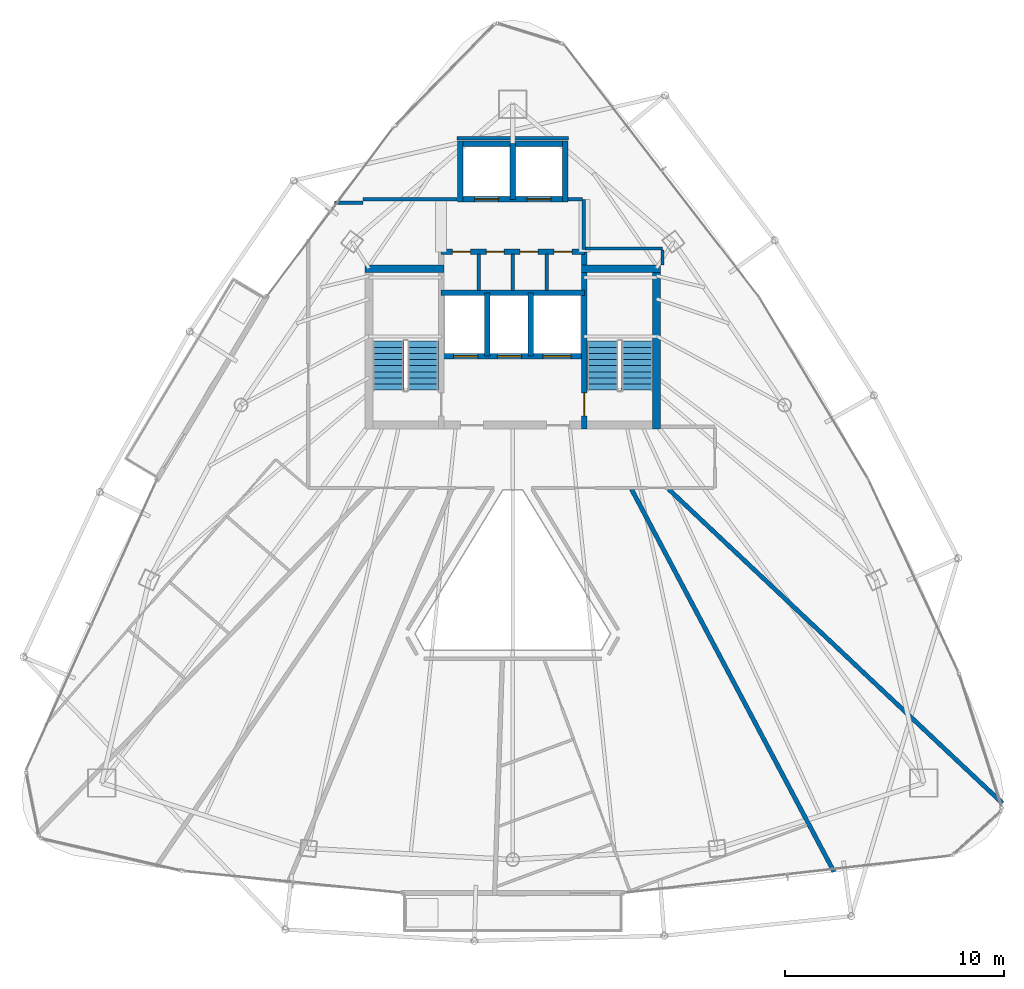
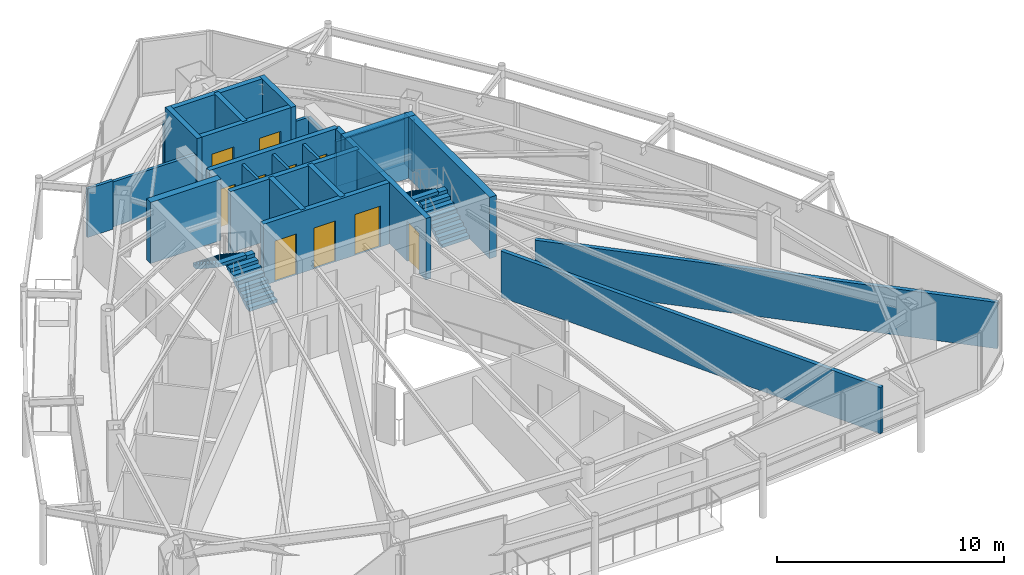
# One storey, part 27 of 29: 26 walls, 10 doors, 4 stair flights, 10 openings, 2 elements without a shape of their own.
"""IFC4 building model written with IfcOpenShell, lengths in metres."""

from ifc_helpers import new_model, si_unit, direction, frame, frame_2d, origin, place, context, subcontext, project, spatial, polyline, rectangle, outline, extrude, material, layer, layer_set, type_object, element, fill, aggregate, save


model = new_model("IFC4")

# Units and contexts
model_context = context("Model", 3, precision=1e-05, world=origin(), true_north=direction((0.0, 1.0)))
body_context = subcontext(model_context, "Body", "Model", "MODEL_VIEW")
ifc_project = project(units=[si_unit("LENGTHUNIT", "METRE"), si_unit("AREAUNIT", "SQUARE_METRE"), si_unit("VOLUMEUNIT", "CUBIC_METRE"), si_unit("PLANEANGLEUNIT", "RADIAN"), si_unit("MASSUNIT", "GRAM", prefix="KILO")], contexts=[model_context])

# Site, building, storey
site_placement = place(None, origin())
site = spatial("IfcSite", under=ifc_project, at=site_placement, CompositionType="ELEMENT")
building_placement = place(site_placement, origin())
building = spatial("IfcBuilding", under=site, at=building_placement, Name="Orvanel Arch Residences", CompositionType="ELEMENT")
storey_placement = place(building_placement, frame((0.0, 0.0, 243.64990234375)))
storey = spatial("IfcBuildingStorey", under=building, at=storey_placement, Name="L69", CompositionType="ELEMENT", Elevation=243.64990234375)

# Wall, opening, door
ifc_material_1 = material(Name="Concrete N50 (50 MPa)", Category="concrete")
ifc_layer_1 = layer(ifc_material_1, 0.25)
ifc_layer_set_1 = layer_set([ifc_layer_1], Name="Concrete N50 (50 MPa)")
wall_type_1 = type_object("IfcWallType", Name="SW-CORE-250", PredefinedType="SHEAR", material=ifc_layer_set_1)
wall_1_placement = place(storey_placement, frame((36.27490234375, 26.550048828125, 0.0), z_axis=(0.0, 0.0, 1.0), x_axis=(0.0, 1.0, 0.0)))
wall_1 = element("IfcWall", 1, at=wall_1_placement, inside=storey, type_object=wall_type_1, Name="L69 East Inner Core Spine Shear Wall", PredefinedType="SHEAR", context=body_context, shape_type="SweptSolid", body=[
    extrude(rectangle(XDim=8.099853515625, YDim=0.25, at=frame_2d((4.0498046875, 0.0))), origin(), (0.0, 0.0, 1.0), 3.300048828125),
])
opening_1_placement = place(wall_1_placement, frame((0.60009765625, 0.0, 0.0)))
opening_1 = element("IfcOpeningElement", 2, at=opening_1_placement, cuts=wall_1, Name="Opening DF-120", PredefinedType="OPENING", context=body_context, shape_type="SweptSolid", body=[
    extrude(rectangle(XDim=1.050048828125, YDim=2.14990234375, at=frame_2d((0.52490234375, 1.074951171875))), frame((0.0, 0.135009765625, 0.0), z_axis=(0.0, -1.0, 0.0), x_axis=(1.0, 0.0, 0.0)), (0.0, 0.0, 1.0), 0.27001953125),
])
ifc_material_2 = material(Name="Galvanised steel fire-resisting door assembly", Category="steel")
door_type_1 = type_object("IfcDoorType", Name="DR-FD120-1050", OperationType="NOTDEFINED", PredefinedType="DOOR", material=ifc_material_2)
door_1_placement = place(opening_1_placement, origin())
door_1 = element("IfcDoor", 3, at=door_1_placement, inside=storey, type_object=door_type_1, Name="DR-L69-ST2 L69 Stair 2 Fire Door", OperationType="SINGLE_SWING_RIGHT", OverallHeight=2.14990234375, OverallWidth=1.050048828125, PredefinedType="DOOR", context=body_context, shape_type="SweptSolid", body=[
    extrude(rectangle(XDim=1.050048828125, YDim=2.14990234375, at=frame_2d((0.52490234375, 1.074951171875))), frame((0.0, 0.02490234375, 0.0), z_axis=(0.0, -1.0, 0.0), x_axis=(1.0, 0.0, 0.0)), (0.0, 0.0, 1.0), 0.050048828125),
])
fill(opening_1, door_1)

# Wall, openings, doors
wall_2_placement = place(storey_placement, frame((36.27490234375, 29.875, 0.0), z_axis=(0.0, 0.0, 1.0), x_axis=(-1.0, 0.0, 0.0)))
wall_2 = element("IfcWall", 4, at=wall_2_placement, inside=storey, type_object=wall_type_1, Name="L69 Emergency Lift Front Core Shear Wall", PredefinedType="SHEAR", context=body_context, shape_type="SweptSolid", body=[
    extrude(rectangle(XDim=6.5498046875, YDim=0.25, at=frame_2d((3.27490234375, 0.0))), origin(), (0.0, 0.0, 1.0), 3.300048828125),
])
opening_2_placement = place(wall_2_placement, frame((4.875, 0.0, 0.0)))
opening_2 = element("IfcOpeningElement", 5, at=opening_2_placement, cuts=wall_2, Name="Opening LD-110", PredefinedType="OPENING", context=body_context, shape_type="SweptSolid", body=[
    extrude(rectangle(XDim=1.10009765625, YDim=2.199951171875, at=frame_2d((0.550048828125, 1.10009765625))), frame((0.0, 0.135009765625, 0.0), z_axis=(0.0, -1.0, 0.0), x_axis=(1.0, 0.0, 0.0)), (0.0, 0.0, 1.0), 0.27001953125),
])
opening_3_placement = place(wall_2_placement, frame((2.875, 0.0, 0.0)))
opening_3 = element("IfcOpeningElement", 6, at=opening_3_placement, cuts=wall_2, Name="Opening LD-110", PredefinedType="OPENING", context=body_context, shape_type="SweptSolid", body=[
    extrude(rectangle(XDim=1.10009765625, YDim=2.199951171875, at=frame_2d((0.550048828125, 1.10009765625))), frame((0.0, 0.135009765625, 0.0), z_axis=(0.0, -1.0, 0.0), x_axis=(1.0, 0.0, 0.0)), (0.0, 0.0, 1.0), 0.27001953125),
])
opening_4_placement = place(wall_2_placement, frame((0.60009765625, 0.0, 0.0)))
opening_4 = element("IfcOpeningElement", 7, at=opening_4_placement, cuts=wall_2, Name="Opening LD-130", PredefinedType="OPENING", context=body_context, shape_type="SweptSolid", body=[
    extrude(rectangle(XDim=1.300048828125, YDim=2.199951171875, at=frame_2d((0.64990234375, 1.10009765625))), frame((0.0, 0.135009765625, 0.0), z_axis=(0.0, -1.0, 0.0), x_axis=(1.0, 0.0, 0.0)), (0.0, 0.0, 1.0), 0.27001953125),
])
door_type_2 = type_object("IfcDoorType", Name="DR-LFT-1100", OperationType="NOTDEFINED", PredefinedType="DOOR", material=ifc_material_2)
door_2_placement = place(opening_2_placement, origin())
door_2 = element("IfcDoor", 8, at=door_2_placement, inside=storey, type_object=door_type_2, Name="LD-F1-L69 L69 Lift F1 Sliding Landing Door", OperationType="DOUBLE_DOOR_SLIDING", OverallHeight=2.199951171875, OverallWidth=1.10009765625, PredefinedType="DOOR", context=body_context, shape_type="SweptSolid", body=[
    extrude(rectangle(XDim=1.10009765625, YDim=2.199951171875, at=frame_2d((0.550048828125, 1.10009765625))), frame((0.0, 0.02490234375, 0.0), z_axis=(0.0, -1.0, 0.0), x_axis=(1.0, 0.0, 0.0)), (0.0, 0.0, 1.0), 0.050048828125),
])
fill(opening_2, door_2)
door_3_placement = place(opening_3_placement, origin())
door_3 = element("IfcDoor", 9, at=door_3_placement, inside=storey, type_object=door_type_2, Name="LD-F2-L69 L69 Lift F2 Sliding Landing Door", OperationType="DOUBLE_DOOR_SLIDING", OverallHeight=2.199951171875, OverallWidth=1.10009765625, PredefinedType="DOOR", context=body_context, shape_type="SweptSolid", body=[
    extrude(rectangle(XDim=1.10009765625, YDim=2.199951171875, at=frame_2d((0.550048828125, 1.10009765625))), frame((0.0, 0.02490234375, 0.0), z_axis=(0.0, -1.0, 0.0), x_axis=(1.0, 0.0, 0.0)), (0.0, 0.0, 1.0), 0.050048828125),
])
fill(opening_3, door_3)
door_type_3 = type_object("IfcDoorType", Name="DR-LFT-1300", OperationType="NOTDEFINED", PredefinedType="DOOR", material=ifc_material_2)
door_4_placement = place(opening_4_placement, origin())
door_4 = element("IfcDoor", 10, at=door_4_placement, inside=storey, type_object=door_type_3, Name="LD-G1-L69 L69 Lift G1 Sliding Landing Door", OperationType="DOUBLE_DOOR_SLIDING", OverallHeight=2.199951171875, OverallWidth=1.300048828125, PredefinedType="DOOR", context=body_context, shape_type="SweptSolid", body=[
    extrude(rectangle(XDim=1.300048828125, YDim=2.199951171875, at=frame_2d((0.64990234375, 1.10009765625))), frame((0.0, 0.02490234375, 0.0), z_axis=(0.0, -1.0, 0.0), x_axis=(1.0, 0.0, 0.0)), (0.0, 0.0, 1.0), 0.050048828125),
])
fill(opening_4, door_4)

# Walls
wall_3_placement = place(storey_placement, frame((29.72509765625, 32.77490234375, 0.0), z_axis=(0.0, 0.0, 1.0), x_axis=(1.0, 0.0, 0.0)))
element("IfcWall", 11, at=wall_3_placement, inside=storey, type_object=wall_type_1, Name="L69 Emergency Lift Back Core Shear Wall", PredefinedType="SHEAR", context=body_context, shape_type="SweptSolid", body=[
    extrude(rectangle(XDim=6.5498046875, YDim=0.25, at=frame_2d((3.27490234375, 0.0))), origin(), (0.0, 0.0, 1.0), 3.300048828125),
])
for number, where, z_axis, x_axis, name in (
    (12, (31.824951171875, 29.875, 0.0), (0.0, 0.0, 1.0), (0.0, 1.0, 0.0), "L69 Emergency Lift Inter-Shaft Wall F12"),
    (13, (33.824951171875, 29.875, 0.0), (0.0, 0.0, 1.0), (0.0, 1.0, 0.0), "L69 Emergency Lift Inter-Shaft Wall F2G"),
):
    element("IfcWall", number, at=place(storey_placement, frame(where, z_axis=z_axis, x_axis=x_axis)), inside=storey, type_object=wall_type_1, Name=name, PredefinedType="SHEAR", context=body_context, shape_type="SweptSolid", body=[
        extrude(rectangle(XDim=2.89990234375, YDim=0.25, at=frame_2d((1.449951171875, 0.0))), origin(), (0.0, 0.0, 1.0), 3.300048828125),
    ])

# Wall, openings, doors
wall_4_placement = place(storey_placement, frame((29.72509765625, 34.64990234375, 0.0), z_axis=(0.0, 0.0, 1.0), x_axis=(1.0, 0.0, 0.0)))
wall_4 = element("IfcWall", 14, at=wall_4_placement, inside=storey, type_object=wall_type_1, Name="L69 Core Service Band North Shear Wall", PredefinedType="SHEAR", context=body_context, shape_type="SweptSolid", body=[
    extrude(rectangle(XDim=6.5498046875, YDim=0.25, at=frame_2d((3.27490234375, 0.0))), origin(), (0.0, 0.0, 1.0), 3.300048828125),
])
opening_5_placement = place(wall_4_placement, frame((0.514892578125, 0.0, 0.0)))
opening_5 = element("IfcOpeningElement", 15, at=opening_5_placement, cuts=wall_4, Name="Opening DS-082", PredefinedType="OPENING", context=body_context, shape_type="SweptSolid", body=[
    extrude(rectangle(XDim=0.820068359375, YDim=2.10009765625, at=frame_2d((0.41015625, 1.050048828125))), frame((0.0, 0.135009765625, 0.0), z_axis=(0.0, -1.0, 0.0), x_axis=(1.0, 0.0, 0.0)), (0.0, 0.0, 1.0), 0.27001953125),
])
opening_6_placement = place(wall_4_placement, frame((2.06494140625, 0.0, 0.0)))
opening_6 = element("IfcOpeningElement", 16, at=opening_6_placement, cuts=wall_4, Name="Opening DS-082", PredefinedType="OPENING", context=body_context, shape_type="SweptSolid", body=[
    extrude(rectangle(XDim=0.820068359375, YDim=2.10009765625, at=frame_2d((0.41015625, 1.050048828125))), frame((0.0, 0.135009765625, 0.0), z_axis=(0.0, -1.0, 0.0), x_axis=(1.0, 0.0, 0.0)), (0.0, 0.0, 1.0), 0.27001953125),
])
opening_7_placement = place(wall_4_placement, frame((3.614990234375, 0.0, 0.0)))
opening_7 = element("IfcOpeningElement", 17, at=opening_7_placement, cuts=wall_4, Name="Opening DS-082", PredefinedType="OPENING", context=body_context, shape_type="SweptSolid", body=[
    extrude(rectangle(XDim=0.820068359375, YDim=2.10009765625, at=frame_2d((0.41015625, 1.050048828125))), frame((0.0, 0.135009765625, 0.0), z_axis=(0.0, -1.0, 0.0), x_axis=(1.0, 0.0, 0.0)), (0.0, 0.0, 1.0), 0.27001953125),
])
opening_8_placement = place(wall_4_placement, frame((5.1650390625, 0.0, 0.0)))
opening_8 = element("IfcOpeningElement", 18, at=opening_8_placement, cuts=wall_4, Name="Opening DS-082", PredefinedType="OPENING", context=body_context, shape_type="SweptSolid", body=[
    extrude(rectangle(XDim=0.820068359375, YDim=2.10009765625, at=frame_2d((0.41015625, 1.050048828125))), frame((0.0, 0.135009765625, 0.0), z_axis=(0.0, -1.0, 0.0), x_axis=(1.0, 0.0, 0.0)), (0.0, 0.0, 1.0), 0.27001953125),
])
door_type_4 = type_object("IfcDoorType", Name="DR-SVC-820", OperationType="NOTDEFINED", PredefinedType="DOOR", material=ifc_material_2)
door_5_placement = place(opening_5_placement, origin())
door_5 = element("IfcDoor", 19, at=door_5_placement, inside=storey, type_object=door_type_4, Name="DR-L69-CSVC-1 L69 Linen Store Door", OperationType="SINGLE_SWING_LEFT", OverallHeight=2.10009765625, OverallWidth=0.820068359375, PredefinedType="DOOR", context=body_context, shape_type="SweptSolid", body=[
    extrude(rectangle(XDim=0.820068359375, YDim=2.10009765625, at=frame_2d((0.41015625, 1.050048828125))), frame((0.0, 0.02490234375, 0.0), z_axis=(0.0, -1.0, 0.0), x_axis=(1.0, 0.0, 0.0)), (0.0, 0.0, 1.0), 0.050048828125),
])
fill(opening_5, door_5)
door_6_placement = place(opening_6_placement, origin())
door_6 = element("IfcDoor", 20, at=door_6_placement, inside=storey, type_object=door_type_4, Name="DR-L69-CSVC-2 L69 Cleaner's Store Door", OperationType="SINGLE_SWING_LEFT", OverallHeight=2.10009765625, OverallWidth=0.820068359375, PredefinedType="DOOR", context=body_context, shape_type="SweptSolid", body=[
    extrude(rectangle(XDim=0.820068359375, YDim=2.10009765625, at=frame_2d((0.41015625, 1.050048828125))), frame((0.0, 0.02490234375, 0.0), z_axis=(0.0, -1.0, 0.0), x_axis=(1.0, 0.0, 0.0)), (0.0, 0.0, 1.0), 0.050048828125),
])
fill(opening_6, door_6)
door_7_placement = place(opening_7_placement, origin())
door_7 = element("IfcDoor", 21, at=door_7_placement, inside=storey, type_object=door_type_4, Name="DR-L69-CSVC-3 L69 Electrical Meter Store Door", OperationType="SINGLE_SWING_LEFT", OverallHeight=2.10009765625, OverallWidth=0.820068359375, PredefinedType="DOOR", context=body_context, shape_type="SweptSolid", body=[
    extrude(rectangle(XDim=0.820068359375, YDim=2.10009765625, at=frame_2d((0.41015625, 1.050048828125))), frame((0.0, 0.02490234375, 0.0), z_axis=(0.0, -1.0, 0.0), x_axis=(1.0, 0.0, 0.0)), (0.0, 0.0, 1.0), 0.050048828125),
])
fill(opening_7, door_7)
door_8_placement = place(opening_8_placement, origin())
door_8 = element("IfcDoor", 22, at=door_8_placement, inside=storey, type_object=door_type_4, Name="DR-L69-CSVC-4 L69 Housekeeping Supply Store Door", OperationType="SINGLE_SWING_LEFT", OverallHeight=2.10009765625, OverallWidth=0.820068359375, PredefinedType="DOOR", context=body_context, shape_type="SweptSolid", body=[
    extrude(rectangle(XDim=0.820068359375, YDim=2.10009765625, at=frame_2d((0.41015625, 1.050048828125))), frame((0.0, 0.02490234375, 0.0), z_axis=(0.0, -1.0, 0.0), x_axis=(1.0, 0.0, 0.0)), (0.0, 0.0, 1.0), 0.050048828125),
])
fill(opening_8, door_8)

wall_5_placement = place(storey_placement, frame((35.52490234375, 37.050048828125, 0.0), z_axis=(0.0, 0.0, 1.0), x_axis=(-1.0, 0.0, 0.0)))
wall_5 = element("IfcWall", 23, at=wall_5_placement, inside=storey, type_object=wall_type_1, Name="L69 Passenger Lift Bank Front Shear Wall", PredefinedType="SHEAR", context=body_context, shape_type="SweptSolid", body=[
    extrude(rectangle(XDim=5.0498046875, YDim=0.25, at=frame_2d((2.52490234375, 0.0))), origin(), (0.0, 0.0, 1.0), 3.300048828125),
])
opening_9_placement = place(wall_5_placement, frame((3.175048828125, 0.0, 0.0)))
opening_9 = element("IfcOpeningElement", 24, at=opening_9_placement, cuts=wall_5, Name="Opening LD-110", PredefinedType="OPENING", context=body_context, shape_type="SweptSolid", body=[
    extrude(rectangle(XDim=1.10009765625, YDim=2.199951171875, at=frame_2d((0.550048828125, 1.10009765625))), frame((0.0, 0.135009765625, 0.0), z_axis=(0.0, -1.0, 0.0), x_axis=(1.0, 0.0, 0.0)), (0.0, 0.0, 1.0), 0.27001953125),
])
opening_10_placement = place(wall_5_placement, frame((0.77490234375, 0.0, 0.0)))
opening_10 = element("IfcOpeningElement", 25, at=opening_10_placement, cuts=wall_5, Name="Opening LD-110", PredefinedType="OPENING", context=body_context, shape_type="SweptSolid", body=[
    extrude(rectangle(XDim=1.10009765625, YDim=2.199951171875, at=frame_2d((0.550048828125, 1.10009765625))), frame((0.0, 0.135009765625, 0.0), z_axis=(0.0, -1.0, 0.0), x_axis=(1.0, 0.0, 0.0)), (0.0, 0.0, 1.0), 0.27001953125),
])
door_9_placement = place(opening_9_placement, origin())
door_9 = element("IfcDoor", 26, at=door_9_placement, inside=storey, type_object=door_type_2, Name="LD-P5-L69 L69 Passenger Lift P5 Sliding Landing Door", OperationType="DOUBLE_DOOR_SLIDING", OverallHeight=2.199951171875, OverallWidth=1.10009765625, PredefinedType="DOOR", context=body_context, shape_type="SweptSolid", body=[
    extrude(rectangle(XDim=1.10009765625, YDim=2.199951171875, at=frame_2d((0.550048828125, 1.10009765625))), frame((0.0, 0.02490234375, 0.0), z_axis=(0.0, -1.0, 0.0), x_axis=(1.0, 0.0, 0.0)), (0.0, 0.0, 1.0), 0.050048828125),
])
fill(opening_9, door_9)
door_10_placement = place(opening_10_placement, origin())
door_10 = element("IfcDoor", 27, at=door_10_placement, inside=storey, type_object=door_type_2, Name="LD-P6-L69 L69 Passenger Lift P6 Sliding Landing Door", OperationType="DOUBLE_DOOR_SLIDING", OverallHeight=2.199951171875, OverallWidth=1.10009765625, PredefinedType="DOOR", context=body_context, shape_type="SweptSolid", body=[
    extrude(rectangle(XDim=1.10009765625, YDim=2.199951171875, at=frame_2d((0.550048828125, 1.10009765625))), frame((0.0, 0.02490234375, 0.0), z_axis=(0.0, -1.0, 0.0), x_axis=(1.0, 0.0, 0.0)), (0.0, 0.0, 1.0), 0.050048828125),
])
fill(opening_10, door_10)

# Walls
wall_6_placement = place(storey_placement, frame((30.47509765625, 39.60009765625, 0.0), z_axis=(0.0, 0.0, 1.0), x_axis=(1.0, 0.0, 0.0)))
element("IfcWall", 28, at=wall_6_placement, inside=storey, type_object=wall_type_1, Name="L69 Passenger Lift Bank North Shear Wall", PredefinedType="SHEAR", context=body_context, shape_type="SweptSolid", body=[
    extrude(rectangle(XDim=5.0498046875, YDim=0.25, at=frame_2d((2.52490234375, 0.0))), origin(), (0.0, 0.0, 1.0), 3.300048828125),
])
for number, where, z_axis, x_axis, name in (
    (29, (30.60009765625, 36.925048828125, 0.0), (0.0, 0.0, 1.0), (0.0, 1.0, 0.0), "L69 Passenger Lift Bank West Shear Wall"),
    (30, (35.39990234375, 36.925048828125, 0.0), (0.0, 0.0, 1.0), (0.0, 1.0, 0.0), "L69 Passenger Lift Bank East Shear Wall"),
):
    element("IfcWall", number, at=place(storey_placement, frame(where, z_axis=z_axis, x_axis=x_axis)), inside=storey, type_object=wall_type_1, Name=name, PredefinedType="SHEAR", context=body_context, shape_type="SweptSolid", body=[
        extrude(rectangle(XDim=2.800048828125, YDim=0.25, at=frame_2d((1.39990234375, 0.0))), origin(), (0.0, 0.0, 1.0), 3.300048828125),
    ])
wall_7_placement = place(storey_placement, frame((33.0, 37.050048828125, 0.0), z_axis=(0.0, 0.0, 1.0), x_axis=(0.0, 1.0, 0.0)))
element("IfcWall", 31, at=wall_7_placement, inside=storey, type_object=wall_type_1, Name="L69 Passenger Lift Inter-Shaft Wall P56", PredefinedType="SHEAR", context=body_context, shape_type="SweptSolid", body=[
    extrude(rectangle(XDim=2.550048828125, YDim=0.25, at=frame_2d((1.27490234375, 0.0))), origin(), (0.0, 0.0, 1.0), 3.300048828125),
])
ifc_layer_2 = layer(ifc_material_1, 0.35009765625)
ifc_layer_set_2 = layer_set([ifc_layer_2], Name="Concrete N50 (50 MPa)")
wall_type_2 = type_object("IfcWallType", Name="SW-CORE-350", PredefinedType="SHEAR", material=ifc_layer_set_2)
wall_8_placement = place(storey_placement, frame((26.25, 33.875, 0.0), z_axis=(0.0, 0.0, 1.0), x_axis=(1.0, 0.0, 0.0)))
element("IfcWall", 32, at=wall_8_placement, inside=storey, type_object=wall_type_2, Name="L69 West Stair North Shear Wall", PredefinedType="SHEAR", context=body_context, shape_type="SweptSolid", body=[
    extrude(rectangle(XDim=3.60009765625, YDim=0.35009765625, at=frame_2d((1.800048828125, 0.0))), origin(), (0.0, 0.0, 1.0), 3.300048828125),
])
wall_9_placement = place(storey_placement, frame((39.574951171875, 26.550048828125, 0.0), z_axis=(0.0, 0.0, 1.0), x_axis=(0.0, 1.0, 0.0)))
element("IfcWall", 33, at=wall_9_placement, inside=storey, type_object=wall_type_2, Name="L69 East Stair Shear Wall", PredefinedType="SHEAR", context=body_context, shape_type="SweptSolid", body=[
    extrude(rectangle(XDim=7.5, YDim=0.35009765625, at=frame_2d((3.75, 0.0))), origin(), (0.0, 0.0, 1.0), 3.300048828125),
])
wall_10_placement = place(storey_placement, frame((36.14990234375, 33.875, 0.0), z_axis=(0.0, 0.0, 1.0), x_axis=(1.0, 0.0, 0.0)))
element("IfcWall", 34, at=wall_10_placement, inside=storey, type_object=wall_type_2, Name="L69 East Stair North Shear Wall", PredefinedType="SHEAR", context=body_context, shape_type="SweptSolid", body=[
    extrude(rectangle(XDim=3.60009765625, YDim=0.35009765625, at=frame_2d((1.800048828125, 0.0))), origin(), (0.0, 0.0, 1.0), 3.300048828125),
])
ifc_material_3 = material(Name="Fire-rated plasterboard lined steel stud partition", Category="steel")
ifc_layer_3 = layer(ifc_material_3, 0.14990234375)
ifc_layer_set_3 = layer_set([ifc_layer_3], Name="Fire-rated plasterboard lined steel stud partition")
wall_type_3 = type_object("IfcWallType", Name="W-COR-150", PredefinedType="PARTITIONING", material=ifc_layer_set_3)
wall_11_placement = place(storey_placement, frame((36.25, 34.760009765625, 0.0), z_axis=(0.0, 0.0, 1.0), x_axis=(0.0, 1.0, 0.0)))
element("IfcWall", 35, at=wall_11_placement, inside=storey, type_object=wall_type_3, Name="L69 Passenger Lift Lobby East Closure Wall", PredefinedType="PARTITIONING", context=body_context, shape_type="SweptSolid", body=[
    extrude(rectangle(XDim=2.2900390625, YDim=0.14990234375, at=frame_2d((1.14501953125, 0.0))), origin(), (0.0, 0.0, 1.0), 2.425048828125),
])
wall_12_placement = place(storey_placement, frame((35.52490234375, 37.050048828125, 0.0), z_axis=(0.0, 0.0, 1.0), x_axis=(1.0, 0.0, 0.0)))
element("IfcWall", 36, at=wall_12_placement, inside=storey, type_object=wall_type_3, Name="L69 Passenger Lift Lobby North-East Wall", PredefinedType="PARTITIONING", context=body_context, shape_type="SweptSolid", body=[
    extrude(rectangle(XDim=0.6650390625, YDim=0.14990234375, at=frame_2d((0.33251953125, 0.0))), origin(), (0.0, 0.0, 1.0), 2.425048828125),
])
wall_13_placement = place(storey_placement, frame((24.845947265625, 36.89990234375, 0.0), z_axis=(0.0, 0.0, 1.0), x_axis=(1.0, 0.0, 0.0)))
element("IfcWall", 37, at=wall_13_placement, inside=storey, type_object=wall_type_3, Name="L69 Corridor Fire-Rated Partition", PredefinedType="PARTITIONING", context=body_context, shape_type="SweptSolid", body=[
    extrude(rectangle(XDim=1.303955078125, YDim=0.14990234375, at=frame_2d((0.65185546875, 0.0))), origin(), (0.0, 0.0, 1.0), 2.619140625),
])
wall_14_placement = place(storey_placement, frame((26.14990234375, 37.050048828125, 0.0), z_axis=(0.0, 0.0, 1.0), x_axis=(1.0, 0.0, 0.0)))
element("IfcWall", 38, at=wall_14_placement, inside=storey, type_object=wall_type_3, Name="L69 Core Perimeter Partition", PredefinedType="PARTITIONING", context=body_context, shape_type="SweptSolid", body=[
    extrude(rectangle(XDim=4.300048828125, YDim=0.14990234375, at=frame_2d((2.14990234375, 0.0))), origin(), (0.0, 0.0, 1.0), 2.425048828125),
])
wall_15_placement = place(storey_placement, frame((30.449951171875, 39.85009765625, 0.0), z_axis=(0.0, 0.0, 1.0), x_axis=(1.0, 0.0, 0.0)))
element("IfcWall", 39, at=wall_15_placement, inside=storey, type_object=wall_type_3, Name="L69 Core Perimeter Partition", PredefinedType="PARTITIONING", context=body_context, shape_type="SweptSolid", body=[
    extrude(rectangle(XDim=5.10009765625, YDim=0.14990234375, at=frame_2d((2.550048828125, 0.0))), origin(), (0.0, 0.0, 1.0), 2.4921875),
])
wall_16_placement = place(storey_placement, frame((36.31005859375, 34.800048828125, 0.0), z_axis=(0.0, 0.0, 1.0), x_axis=(1.0, 0.0, 0.0)))
element("IfcWall", 40, at=wall_16_placement, inside=storey, type_object=wall_type_3, Name="L69 Core Perimeter Partition", PredefinedType="PARTITIONING", context=body_context, shape_type="SweptSolid", body=[
    extrude(rectangle(XDim=3.5400390625, YDim=0.14990234375, at=frame_2d((1.77001953125, 0.0))), origin(), (0.0, 0.0, 1.0), 2.425048828125),
])
wall_17_placement = place(storey_placement, frame((39.85009765625, 34.739990234375, 0.0), z_axis=(0.0, 0.0, 1.0), x_axis=(0.0, -1.0, 0.0)))
element("IfcWall", 41, at=wall_17_placement, inside=storey, type_object=wall_type_3, Name="L69 Core Perimeter Partition", PredefinedType="PARTITIONING", context=body_context, shape_type="SweptSolid", body=[
    extrude(rectangle(XDim=0.68994140625, YDim=0.14990234375, at=frame_2d((0.344970703125, 0.0))), origin(), (0.0, 0.0, 1.0), 2.773193359375),
])
ifc_layer_4 = layer(ifc_material_3, 0.199951171875)
ifc_layer_set_4 = layer_set([ifc_layer_4], Name="Fire-rated plasterboard lined steel stud partition")
wall_type_4 = type_object("IfcWallType", Name="W-DEM-200", PredefinedType="PARTITIONING", material=ifc_layer_set_4)
wall_18_placement = place(storey_placement, frame((55.405029296875, 9.4208984375, 0.0), z_axis=(0.0, 0.0, 1.0), x_axis=(-0.728328495468, 0.685228139155, 0.0)))
element("IfcWall", 42, at=wall_18_placement, inside=storey, type_object=wall_type_4, Name="L69 Inter-Tenancy Acoustic Demising Wall", PredefinedType="PARTITIONING", context=body_context, shape_type="SweptSolid", body=[
    extrude(rectangle(XDim=20.969970703125, YDim=0.199951171875, at=frame_2d((10.48486328125, 0.0))), origin(), (0.0, 0.0, 1.0), 2.4921875),
])
wall_19_placement = place(storey_placement, frame((38.43310546875, 23.7900390625, 0.0), z_axis=(0.0, 0.0, 1.0), x_axis=(0.467759118023, -0.88385598799, 0.0)))
element("IfcWall", 43, at=wall_19_placement, inside=storey, type_object=wall_type_4, Name="L69 Inter-Tenancy Acoustic Demising Wall", PredefinedType="PARTITIONING", context=body_context, shape_type="SweptSolid", body=[
    extrude(rectangle(XDim=19.80078125, YDim=0.199951171875, at=frame_2d((9.900390625, 0.0))), origin(), (0.0, 0.0, 1.0), 2.4921875),
])
ifc_layer_5 = layer(ifc_material_3, 0.14990234375)
ifc_layer_set_5 = layer_set([ifc_layer_5], Name="Fire-rated plasterboard lined steel stud partition")
wall_type_5 = type_object("IfcWallType", Name="W-ST-150", PredefinedType="PARTITIONING", material=ifc_layer_set_5)
for number, where, z_axis, x_axis, name in (
    (44, (31.449951171875, 32.885009765625, 0.0), (0.0, 0.0, 1.0), (0.0, 1.0, 0.0), "L69 Core Service Partition 1"),
    (45, (33.0, 32.885009765625, 0.0), (0.0, 0.0, 1.0), (0.0, 1.0, 0.0), "L69 Core Service Partition 2"),
    (46, (34.550048828125, 32.885009765625, 0.0), (0.0, 0.0, 1.0), (0.0, 1.0, 0.0), "L69 Core Service Partition 3"),
):
    element("IfcWall", number, at=place(storey_placement, frame(where, z_axis=z_axis, x_axis=x_axis)), inside=storey, type_object=wall_type_5, Name=name, PredefinedType="PARTITIONING", context=body_context, shape_type="SweptSolid", body=[
        extrude(rectangle(XDim=1.655029296875, YDim=0.14990234375, at=frame_2d((0.82763671875, 0.0))), origin(), (0.0, 0.0, 1.0), 3.06005859375),
    ])

# Stair, stair flights
ifc_material_4 = material(Name="Precast concrete N50 (50 MPa)", Category="concrete")
stair_type = type_object("IfcStairType", Name="STR-DOG-184", PredefinedType="USERDEFINED", material=ifc_material_4)
stair_1_placement = place(storey_placement, origin())
stair_1 = element("IfcStair", 47, at=stair_1_placement, inside=storey, type_object=stair_type, Name="L69 Fire-Isolated Core Exit Stair 1", ObjectType="TWO_RETURN_STAIR", PredefinedType="USERDEFINED")
stair_flight_type_1 = type_object("IfcStairFlightType", Name="SFL-C1-184", PredefinedType="STRAIGHT", material=ifc_material_4)
stair_flight_1_placement = place(storey_placement, frame((28.889892578125, 28.320068359375, 0.0), z_axis=(0.0, 0.0, 1.0), x_axis=(0.0, 1.0, 0.0)))
stair_flight_1 = element("IfcStairFlight", 48, at=stair_flight_1_placement, type_object=stair_flight_type_1, Name="ST-1 flight 1", NumberOfRisers=9, NumberOfTreads=8, PredefinedType="STRAIGHT", RiserHeight=0.183333333, TreadLength=0.28, context=body_context, shape_type="SweptSolid", body=[
    extrude(outline(polyline([(0.0, 0.0), (0.0, 0.183349609375), (0.280029296875, 0.183349609375), (0.280029296875, 0.36669921875), (0.56005859375, 0.36669921875), (0.56005859375, 0.550048828125), (0.840087890625, 0.550048828125), (0.840087890625, 0.7333984375), (1.1201171875, 0.7333984375), (1.1201171875, 0.916748046875), (1.39990234375, 0.916748046875), (1.39990234375, 1.10009765625), (1.679931640625, 1.10009765625), (1.679931640625, 1.283447265625), (1.9599609375, 1.283447265625), (1.9599609375, 1.466552734375), (2.239990234375, 1.466552734375), (2.239990234375, 1.64990234375), (2.239990234375, 1.28759765625), (0.273681640625, 0.0), (0.0, 0.0)])), frame((0.0, 0.7099609375, 0.0), z_axis=(0.0, -1.0, 0.0), x_axis=(1.0, 0.0, 0.0)), (0.0, 0.0, 1.0), 1.419921875),
])
stair_flight_2_placement = place(storey_placement, frame((27.31005859375, 30.56005859375, 1.650146484375), z_axis=(0.0, 0.0, 1.0), x_axis=(0.0, -1.0, 0.0)))
stair_flight_2 = element("IfcStairFlight", 49, at=stair_flight_2_placement, type_object=stair_flight_type_1, Name="ST-1 flight 2", NumberOfRisers=9, NumberOfTreads=8, PredefinedType="STRAIGHT", RiserHeight=0.183333333, TreadLength=0.28, context=body_context, shape_type="SweptSolid", body=[
    extrude(outline(polyline([(0.0, 0.0), (0.0, 0.183349609375), (0.280029296875, 0.183349609375), (0.280029296875, 0.36669921875), (0.56005859375, 0.36669921875), (0.56005859375, 0.550048828125), (0.840087890625, 0.550048828125), (0.840087890625, 0.7333984375), (1.1201171875, 0.7333984375), (1.1201171875, 0.916748046875), (1.39990234375, 0.916748046875), (1.39990234375, 1.10009765625), (1.679931640625, 1.10009765625), (1.679931640625, 1.283447265625), (1.9599609375, 1.283447265625), (1.9599609375, 1.466552734375), (2.239990234375, 1.466552734375), (2.239990234375, 1.64990234375), (2.239990234375, 1.28759765625), (0.273681640625, 0.0), (0.0, 0.0)])), frame((0.0, 0.7099609375, 0.0), z_axis=(0.0, -1.0, 0.0), x_axis=(1.0, 0.0, 0.0)), (0.0, 0.0, 1.0), 1.419921875),
])
aggregate(stair_1, [stair_flight_1, stair_flight_2])

stair_2_placement = place(storey_placement, origin())
stair_2 = element("IfcStair", 50, at=stair_2_placement, inside=storey, type_object=stair_type, Name="L69 Fire-Isolated Core Exit Stair 2", ObjectType="TWO_RETURN_STAIR", PredefinedType="USERDEFINED")
stair_flight_type_2 = type_object("IfcStairFlightType", Name="SFL-C2-184", PredefinedType="STRAIGHT", material=ifc_material_4)
stair_flight_3_placement = place(storey_placement, frame((38.68994140625, 28.320068359375, 0.0), z_axis=(0.0, 0.0, 1.0), x_axis=(0.0, 1.0, 0.0)))
stair_flight_3 = element("IfcStairFlight", 51, at=stair_flight_3_placement, type_object=stair_flight_type_2, Name="ST-2 flight 1", NumberOfRisers=9, NumberOfTreads=8, PredefinedType="STRAIGHT", RiserHeight=0.183333333, TreadLength=0.28, context=body_context, shape_type="SweptSolid", body=[
    extrude(outline(polyline([(0.0, 0.0), (0.0, 0.183349609375), (0.280029296875, 0.183349609375), (0.280029296875, 0.36669921875), (0.56005859375, 0.36669921875), (0.56005859375, 0.550048828125), (0.840087890625, 0.550048828125), (0.840087890625, 0.7333984375), (1.1201171875, 0.7333984375), (1.1201171875, 0.916748046875), (1.39990234375, 0.916748046875), (1.39990234375, 1.10009765625), (1.679931640625, 1.10009765625), (1.679931640625, 1.283447265625), (1.9599609375, 1.283447265625), (1.9599609375, 1.466552734375), (2.239990234375, 1.466552734375), (2.239990234375, 1.64990234375), (2.239990234375, 1.28759765625), (0.273681640625, 0.0), (0.0, 0.0)])), frame((0.0, 0.7099609375, 0.0), z_axis=(0.0, -1.0, 0.0), x_axis=(1.0, 0.0, 0.0)), (0.0, 0.0, 1.0), 1.419921875),
])
stair_flight_4_placement = place(storey_placement, frame((37.110107421875, 30.56005859375, 1.650146484375), z_axis=(0.0, 0.0, 1.0), x_axis=(0.0, -1.0, 0.0)))
stair_flight_4 = element("IfcStairFlight", 52, at=stair_flight_4_placement, type_object=stair_flight_type_2, Name="ST-2 flight 2", NumberOfRisers=9, NumberOfTreads=8, PredefinedType="STRAIGHT", RiserHeight=0.183333333, TreadLength=0.28, context=body_context, shape_type="SweptSolid", body=[
    extrude(outline(polyline([(0.0, 0.0), (0.0, 0.183349609375), (0.280029296875, 0.183349609375), (0.280029296875, 0.36669921875), (0.56005859375, 0.36669921875), (0.56005859375, 0.550048828125), (0.840087890625, 0.550048828125), (0.840087890625, 0.7333984375), (1.1201171875, 0.7333984375), (1.1201171875, 0.916748046875), (1.39990234375, 0.916748046875), (1.39990234375, 1.10009765625), (1.679931640625, 1.10009765625), (1.679931640625, 1.283447265625), (1.9599609375, 1.283447265625), (1.9599609375, 1.466552734375), (2.239990234375, 1.466552734375), (2.239990234375, 1.64990234375), (2.239990234375, 1.28759765625), (0.273681640625, 0.0), (0.0, 0.0)])), frame((0.0, 0.7099609375, 0.0), z_axis=(0.0, -1.0, 0.0), x_axis=(1.0, 0.0, 0.0)), (0.0, 0.0, 1.0), 1.419921875),
])
aggregate(stair_2, [stair_flight_3, stair_flight_4])

save(model, "model.ifc")
